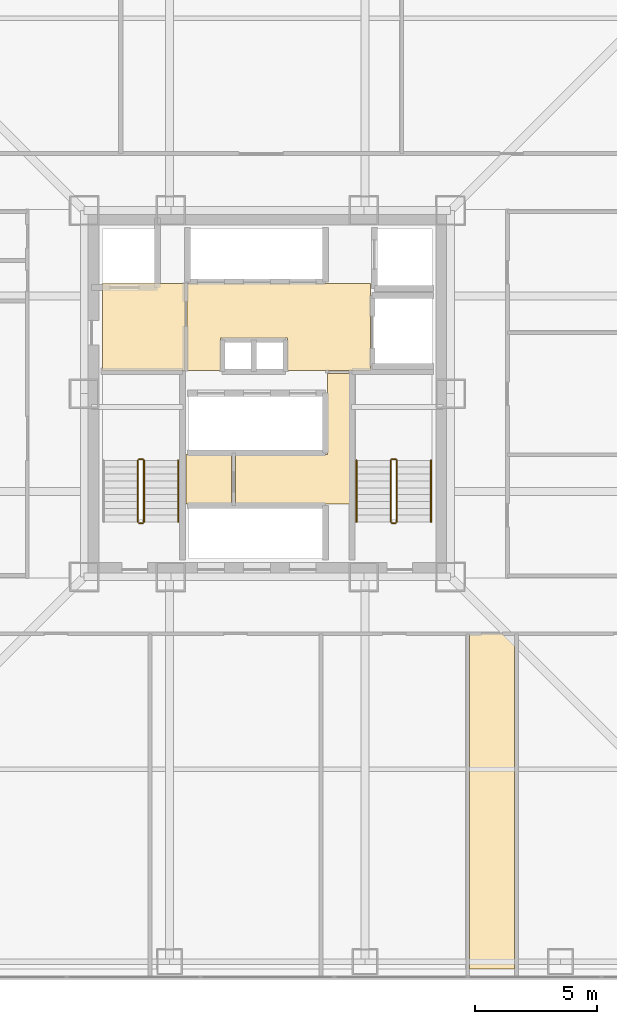
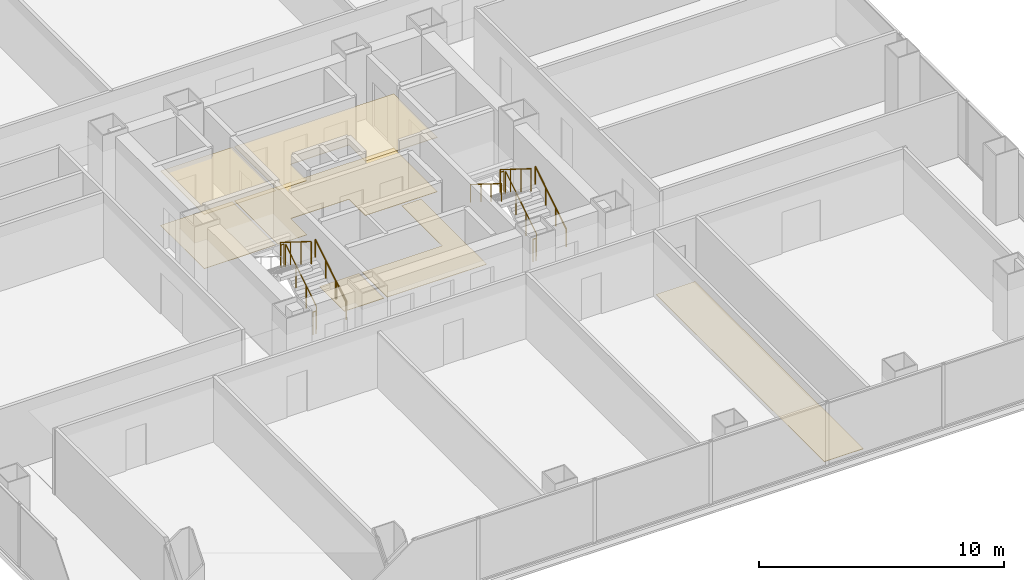
# One storey, part 18 of 19: 11 railings, 7 coverings.
"""IFC4 building model written with IfcOpenShell, lengths in metres."""

from ifc_helpers import new_model, si_unit, direction, frame, origin, origin_2d, place, context, subcontext, project, spatial, polyline, circle, outline, extrude, material, layer, layer_set, type_object, element, save


model = new_model("IFC4")

# Units and contexts
model_context = context("Model", 3, precision=1e-05, world=origin(), true_north=direction((0.0, 1.0)))
body_context = subcontext(model_context, "Body", "Model", "MODEL_VIEW")
ifc_project = project(units=[si_unit("LENGTHUNIT", "METRE"), si_unit("AREAUNIT", "SQUARE_METRE"), si_unit("VOLUMEUNIT", "CUBIC_METRE"), si_unit("PLANEANGLEUNIT", "RADIAN"), si_unit("MASSUNIT", "GRAM", prefix="KILO")], contexts=[model_context])

# Site, building, storey
site_placement = place(None, origin())
site = spatial("IfcSite", under=ifc_project, at=site_placement, CompositionType="ELEMENT")
building_placement = place(site_placement, origin())
building = spatial("IfcBuilding", under=site, at=building_placement, Name="Trevonay Congress Spire", CompositionType="ELEMENT")
storey_placement = place(building_placement, frame((0.0, 0.0, 41.0)))
storey = spatial("IfcBuildingStorey", under=building, at=storey_placement, Name="L09", CompositionType="ELEMENT", Elevation=41.0)

# Coverings
ifc_material_1 = material(Name="Acoustic Mineral Fibre Board", Category="gypsum")
ifc_layer_1 = layer(ifc_material_1, 0.02490234375, Name="Acoustic Mineral Fibre Board")
ifc_layer_set_1 = layer_set([ifc_layer_1], Name="Acoustic Mineral Fibre Board")
covering_type_1 = type_object("IfcCoveringType", Name="COV-CEIL-ACOUSTIC", PredefinedType="CEILING", material=ifc_layer_set_1)
covering_1_placement = place(storey_placement, frame((0.0, 0.0, 2.699951171875)))
element("IfcCovering", 1, at=covering_1_placement, inside=storey, type_object=covering_type_1, Name="L09 Firefighting Lift Lobby West acoustic suspended ceiling", PredefinedType="CEILING", context=body_context, shape_type="SweptSolid", body=[
    extrude(outline(polyline([(-6.75, 0.9599609375), (-3.3798828125, 0.9599609375), (-3.3798828125, 4.52001953125), (-6.75, 4.52001953125), (-6.75, 0.9599609375)])), origin(), (0.0, 0.0, 1.0), 0.025146484375),
])
covering_2_placement = place(storey_placement, frame((0.0, 0.0, 2.699951171875)))
element("IfcCovering", 2, at=covering_2_placement, inside=storey, type_object=covering_type_1, Name="L09 Central and High-Rise Passenger Lift Lobby acoustic suspended ceiling", PredefinedType="CEILING", context=body_context, shape_type="SweptSolid", body=[
    extrude(outline(polyline([(-3.280029296875, 0.949951171875), (-1.919921875, 0.949951171875), (-1.919921875, 2.280029296875), (0.820068359375, 2.280029296875), (0.820068359375, 0.949951171875), (4.219970703125, 0.949951171875), (4.219970703125, 4.52001953125), (-3.280029296875, 4.52001953125), (-3.280029296875, 0.949951171875)])), origin(), (0.0, 0.0, 1.0), 0.025146484375),
])
ifc_material_2 = material(Name="Polished Granite Floor Tile", Category="masonry")
ifc_layer_2 = layer(ifc_material_2, 0.02001953125, Name="Polished Granite Floor Tile")
ifc_layer_set_2 = layer_set([ifc_layer_2], Name="Polished Granite Floor Tile")
covering_type_2 = type_object("IfcCoveringType", Name="COV-FLOOR-STONE", PredefinedType="FLOORING", material=ifc_layer_set_2)
covering_3_placement = place(storey_placement, origin())
element("IfcCovering", 3, at=covering_3_placement, inside=storey, type_object=covering_type_2, Name="L09 Firefighting Lift Lobby West floor finish", PredefinedType="FLOORING", context=body_context, shape_type="SweptSolid", body=[
    extrude(outline(polyline([(-6.75, 0.9599609375), (-3.3798828125, 0.9599609375), (-3.3798828125, 4.52001953125), (-6.75, 4.52001953125), (-6.75, 0.9599609375)])), origin(), (0.0, 0.0, 1.0), 0.02001953125),
])
covering_4_placement = place(storey_placement, origin())
element("IfcCovering", 4, at=covering_4_placement, inside=storey, type_object=covering_type_2, Name="L09 Central and High-Rise Passenger Lift Lobby floor finish", PredefinedType="FLOORING", context=body_context, shape_type="SweptSolid", body=[
    extrude(outline(polyline([(-3.280029296875, 0.949951171875), (-1.919921875, 0.949951171875), (-1.919921875, 2.280029296875), (0.820068359375, 2.280029296875), (0.820068359375, 0.949951171875), (4.219970703125, 0.949951171875), (4.219970703125, 4.52001953125), (-3.280029296875, 4.52001953125), (-3.280029296875, 0.949951171875)])), origin(), (0.0, 0.0, 1.0), 0.02001953125),
])
covering_5_placement = place(storey_placement, origin())
element("IfcCovering", 5, at=covering_5_placement, inside=storey, type_object=covering_type_2, Name="L09 Smoke Control Damper Room floor finish", PredefinedType="FLOORING", context=body_context, shape_type="SweptSolid", body=[
    extrude(outline(polyline([(-1.300048828125, -4.52001953125), (3.3798828125, -4.52001953125), (3.3798828125, 0.820068359375), (2.4599609375, 0.820068359375), (2.4599609375, -2.47998046875), (-1.300048828125, -2.47998046875), (-1.300048828125, -4.52001953125)])), origin(), (0.0, 0.0, 1.0), 0.02001953125),
])
covering_6_placement = place(storey_placement, origin())
element("IfcCovering", 6, at=covering_6_placement, inside=storey, type_object=covering_type_2, Name="L09 Fire Hose and Valve Room floor finish", PredefinedType="FLOORING", context=body_context, shape_type="SweptSolid", body=[
    extrude(outline(polyline([(-3.320068359375, -4.52001953125), (-1.4599609375, -4.52001953125), (-1.4599609375, -2.47998046875), (-3.320068359375, -2.47998046875), (-3.320068359375, -4.52001953125)])), origin(), (0.0, 0.0, 1.0), 0.02001953125),
])
covering_7_placement = place(storey_placement, origin())
element("IfcCovering", 7, at=covering_7_placement, inside=storey, type_object=covering_type_2, Name="L09 Accessible WC floor finish", PredefinedType="FLOORING", context=body_context, shape_type="SweptSolid", body=[
    extrude(outline(polyline([(8.280029296875, -23.550048828125), (10.1201171875, -23.550048828125), (10.1201171875, -9.830078125), (8.280029296875, -9.830078125), (8.280029296875, -23.550048828125)])), origin(), (0.0, 0.0, 1.0), 0.02001953125),
])

# Railings
ifc_material_3 = material(Name="Pale Anodised Aluminium EN AW-6063-T6", Category="aluminium")
railing_type_1 = type_object("IfcRailingType", Name="RAL-STAIR-GUARD-110", PredefinedType="GUARDRAIL", material=ifc_material_3)
railing_1_placement = place(storey_placement, frame((-5.050048828125, -5.25, 0.175048828125)))
element("IfcRailing", 8, at=railing_1_placement, inside=storey, type_object=railing_type_1, Name="L09 ST-1 stair guard 1", PredefinedType="GUARDRAIL", context=body_context, shape_type="SweptSolid", body=[
    extrude(circle(Radius=0.02392578125, at=origin_2d()), frame((0.0, 0.0, 1.1259765625), z_axis=(0.0, 0.848007534815, 0.529984170421), x_axis=(-1.0, 0.0, 0.0)), (0.0, 0.0, 1.0), 2.9716796875),
    extrude(circle(Radius=0.02099609375, at=origin_2d()), origin(), (0.0, 0.0, 1.0), 1.101806640625),
    extrude(circle(Radius=0.02099609375, at=origin_2d()), frame((0.0, 0.840087890625, 0.52490234375)), (0.0, 0.0, 1.0), 1.101806640625),
    extrude(circle(Radius=0.02099609375, at=origin_2d()), frame((0.0, 1.679931640625, 1.050048828125)), (0.0, 0.0, 1.0), 1.101806640625),
    extrude(circle(Radius=0.02099609375, at=origin_2d()), frame((0.0, 2.52001953125, 1.574951171875)), (0.0, 0.0, 1.0), 1.101806640625),
])
railing_2_placement = place(storey_placement, frame((-5.10009765625, -2.679931640625, 1.75)))
element("IfcRailing", 9, at=railing_2_placement, inside=storey, type_object=railing_type_1, Name="L09 ST-1 stair guard 2", PredefinedType="GUARDRAIL", context=body_context, shape_type="SweptSolid", body=[
    extrude(circle(Radius=0.02392578125, at=origin_2d()), frame((0.0, 0.0, 1.1259765625), z_axis=(-1.0, 0.0, 0.0), x_axis=(0.0, -1.0, 0.0)), (0.0, 0.0, 1.0), 0.14990234375),
    extrude(circle(Radius=0.02099609375, at=origin_2d()), origin(), (0.0, 0.0, 1.0), 1.101806640625),
    extrude(circle(Radius=0.02099609375, at=origin_2d()), frame((-0.14990234375, 0.0, 0.0)), (0.0, 0.0, 1.0), 1.101806640625),
])
railing_3_placement = place(storey_placement, frame((-5.300048828125, -2.72998046875, 1.925048828125)))
element("IfcRailing", 10, at=railing_3_placement, inside=storey, type_object=railing_type_1, Name="L09 ST-1 stair guard 3", PredefinedType="GUARDRAIL", context=body_context, shape_type="SweptSolid", body=[
    extrude(circle(Radius=0.02392578125, at=origin_2d()), frame((0.0, 0.0, 1.1259765625), z_axis=(0.0, -0.848007534815, 0.529984170421), x_axis=(1.0, 0.0, 0.0)), (0.0, 0.0, 1.0), 2.9716796875),
    extrude(circle(Radius=0.02099609375, at=origin_2d()), origin(), (0.0, 0.0, 1.0), 1.101806640625),
    extrude(circle(Radius=0.02099609375, at=origin_2d()), frame((0.0, -0.840087890625, 0.52490234375)), (0.0, 0.0, 1.0), 1.101806640625),
    extrude(circle(Radius=0.02099609375, at=origin_2d()), frame((0.0, -1.679931640625, 1.050048828125)), (0.0, 0.0, 1.0), 1.101806640625),
    extrude(circle(Radius=0.02099609375, at=origin_2d()), frame((0.0, -2.52001953125, 1.574951171875)), (0.0, 0.0, 1.0), 1.101806640625),
])
railing_4_placement = place(storey_placement, frame((-5.10009765625, -5.300048828125, 0.0)))
element("IfcRailing", 11, at=railing_4_placement, inside=storey, type_object=railing_type_1, Name="L09 ST-1 stair guard 4", PredefinedType="GUARDRAIL", context=body_context, shape_type="SweptSolid", body=[
    extrude(circle(Radius=0.02392578125, at=origin_2d()), frame((0.0, 0.0, 1.1259765625), z_axis=(-1.0, 0.0, 0.0), x_axis=(0.0, -1.0, 0.0)), (0.0, 0.0, 1.0), 0.14990234375),
    extrude(circle(Radius=0.02099609375, at=origin_2d()), origin(), (0.0, 0.0, 1.0), 1.101806640625),
    extrude(circle(Radius=0.02099609375, at=origin_2d()), frame((-0.14990234375, 0.0, 0.0)), (0.0, 0.0, 1.0), 1.101806640625),
])
railing_5_placement = place(storey_placement, frame((5.300048828125, -5.25, 0.175048828125)))
element("IfcRailing", 12, at=railing_5_placement, inside=storey, type_object=railing_type_1, Name="L09 ST-2 stair guard 1", PredefinedType="GUARDRAIL", context=body_context, shape_type="SweptSolid", body=[
    extrude(circle(Radius=0.02392578125, at=origin_2d()), frame((0.0, 0.0, 1.1259765625), z_axis=(0.0, 0.848007534815, 0.529984170421), x_axis=(-1.0, 0.0, 0.0)), (0.0, 0.0, 1.0), 2.9716796875),
    extrude(circle(Radius=0.02099609375, at=origin_2d()), origin(), (0.0, 0.0, 1.0), 1.101806640625),
    extrude(circle(Radius=0.02099609375, at=origin_2d()), frame((0.0, 0.840087890625, 0.52490234375)), (0.0, 0.0, 1.0), 1.101806640625),
    extrude(circle(Radius=0.02099609375, at=origin_2d()), frame((0.0, 1.679931640625, 1.050048828125)), (0.0, 0.0, 1.0), 1.101806640625),
    extrude(circle(Radius=0.02099609375, at=origin_2d()), frame((0.0, 2.52001953125, 1.574951171875)), (0.0, 0.0, 1.0), 1.101806640625),
])
railing_6_placement = place(storey_placement, frame((5.25, -2.679931640625, 1.75)))
element("IfcRailing", 13, at=railing_6_placement, inside=storey, type_object=railing_type_1, Name="L09 ST-2 stair guard 2", PredefinedType="GUARDRAIL", context=body_context, shape_type="SweptSolid", body=[
    extrude(circle(Radius=0.02392578125, at=origin_2d()), frame((0.0, 0.0, 1.1259765625), z_axis=(-1.0, 0.0, 0.0), x_axis=(0.0, -1.0, 0.0)), (0.0, 0.0, 1.0), 0.14990234375),
    extrude(circle(Radius=0.02099609375, at=origin_2d()), origin(), (0.0, 0.0, 1.0), 1.101806640625),
    extrude(circle(Radius=0.02099609375, at=origin_2d()), frame((-0.14990234375, 0.0, 0.0)), (0.0, 0.0, 1.0), 1.101806640625),
])
railing_7_placement = place(storey_placement, frame((5.050048828125, -2.72998046875, 1.925048828125)))
element("IfcRailing", 14, at=railing_7_placement, inside=storey, type_object=railing_type_1, Name="L09 ST-2 stair guard 3", PredefinedType="GUARDRAIL", context=body_context, shape_type="SweptSolid", body=[
    extrude(circle(Radius=0.02392578125, at=origin_2d()), frame((0.0, 0.0, 1.1259765625), z_axis=(0.0, -0.848007534815, 0.529984170421), x_axis=(1.0, 0.0, 0.0)), (0.0, 0.0, 1.0), 2.9716796875),
    extrude(circle(Radius=0.02099609375, at=origin_2d()), origin(), (0.0, 0.0, 1.0), 1.101806640625),
    extrude(circle(Radius=0.02099609375, at=origin_2d()), frame((0.0, -0.840087890625, 0.52490234375)), (0.0, 0.0, 1.0), 1.101806640625),
    extrude(circle(Radius=0.02099609375, at=origin_2d()), frame((0.0, -1.679931640625, 1.050048828125)), (0.0, 0.0, 1.0), 1.101806640625),
    extrude(circle(Radius=0.02099609375, at=origin_2d()), frame((0.0, -2.52001953125, 1.574951171875)), (0.0, 0.0, 1.0), 1.101806640625),
])
railing_8_placement = place(storey_placement, frame((5.25, -5.300048828125, 0.0)))
element("IfcRailing", 15, at=railing_8_placement, inside=storey, type_object=railing_type_1, Name="L09 ST-2 stair guard 4", PredefinedType="GUARDRAIL", context=body_context, shape_type="SweptSolid", body=[
    extrude(circle(Radius=0.02392578125, at=origin_2d()), frame((0.0, 0.0, 1.1259765625), z_axis=(-1.0, 0.0, 0.0), x_axis=(0.0, -1.0, 0.0)), (0.0, 0.0, 1.0), 0.14990234375),
    extrude(circle(Radius=0.02099609375, at=origin_2d()), origin(), (0.0, 0.0, 1.0), 1.101806640625),
    extrude(circle(Radius=0.02099609375, at=origin_2d()), frame((-0.14990234375, 0.0, 0.0)), (0.0, 0.0, 1.0), 1.101806640625),
])
railing_type_2 = type_object("IfcRailingType", Name="RAL-STAIR-HANDRAIL", PredefinedType="HANDRAIL", material=ifc_material_3)
for number, where, name in (
    (16, (-3.64990234375, -5.25, 0.175048828125), "L09 ST-1 stair handrail 1"),
    (17, (6.699951171875, -5.25, 0.175048828125), "L09 ST-2 stair handrail 1"),
):
    element("IfcRailing", number, at=place(storey_placement, frame(where)), inside=storey, type_object=railing_type_2, Name=name, PredefinedType="HANDRAIL", context=body_context, shape_type="SweptSolid", body=[
        extrude(circle(Radius=0.02392578125, at=origin_2d()), frame((0.0, 0.0, 0.8759765625), z_axis=(0.0, 0.848007534815, 0.529984170421), x_axis=(-1.0, 0.0, 0.0)), (0.0, 0.0, 1.0), 2.9716796875),
        extrude(circle(Radius=0.02099609375, at=origin_2d()), origin(), (0.0, 0.0, 1.0), 0.851806640625),
        extrude(circle(Radius=0.02099609375, at=origin_2d()), frame((0.0, 0.840087890625, 0.52490234375)), (0.0, 0.0, 1.0), 0.851806640625),
        extrude(circle(Radius=0.02099609375, at=origin_2d()), frame((0.0, 1.679931640625, 1.050048828125)), (0.0, 0.0, 1.0), 0.851806640625),
        extrude(circle(Radius=0.02099609375, at=origin_2d()), frame((0.0, 2.52001953125, 1.574951171875)), (0.0, 0.0, 1.0), 0.851806640625),
    ])
railing_9_placement = place(storey_placement, frame((3.64990234375, -2.72998046875, 1.925048828125)))
element("IfcRailing", 18, at=railing_9_placement, inside=storey, type_object=railing_type_2, Name="L09 ST-2 stair handrail 2", PredefinedType="HANDRAIL", context=body_context, shape_type="SweptSolid", body=[
    extrude(circle(Radius=0.02392578125, at=origin_2d()), frame((0.0, 0.0, 0.8759765625), z_axis=(0.0, -0.848007534815, 0.529984170421), x_axis=(1.0, 0.0, 0.0)), (0.0, 0.0, 1.0), 2.9716796875),
    extrude(circle(Radius=0.02099609375, at=origin_2d()), origin(), (0.0, 0.0, 1.0), 0.851806640625),
    extrude(circle(Radius=0.02099609375, at=origin_2d()), frame((0.0, -0.840087890625, 0.52490234375)), (0.0, 0.0, 1.0), 0.851806640625),
    extrude(circle(Radius=0.02099609375, at=origin_2d()), frame((0.0, -1.679931640625, 1.050048828125)), (0.0, 0.0, 1.0), 0.851806640625),
    extrude(circle(Radius=0.02099609375, at=origin_2d()), frame((0.0, -2.52001953125, 1.574951171875)), (0.0, 0.0, 1.0), 0.851806640625),
])

save(model, "model.ifc")
